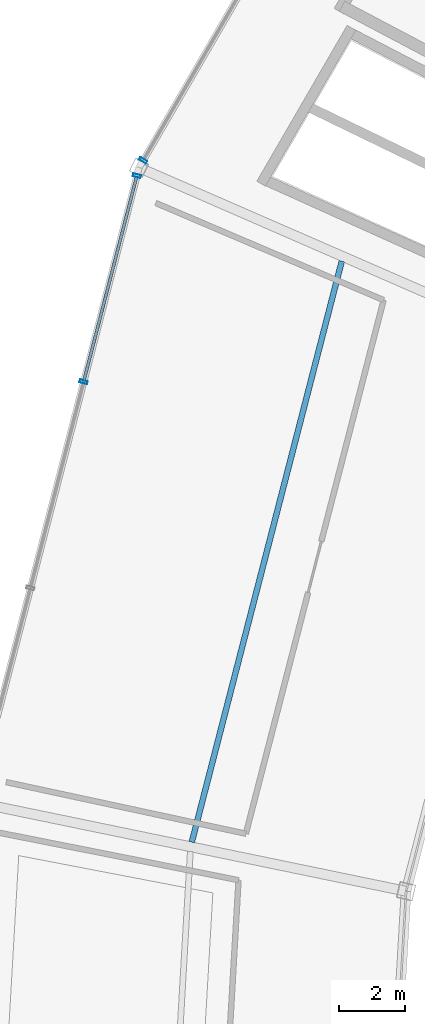
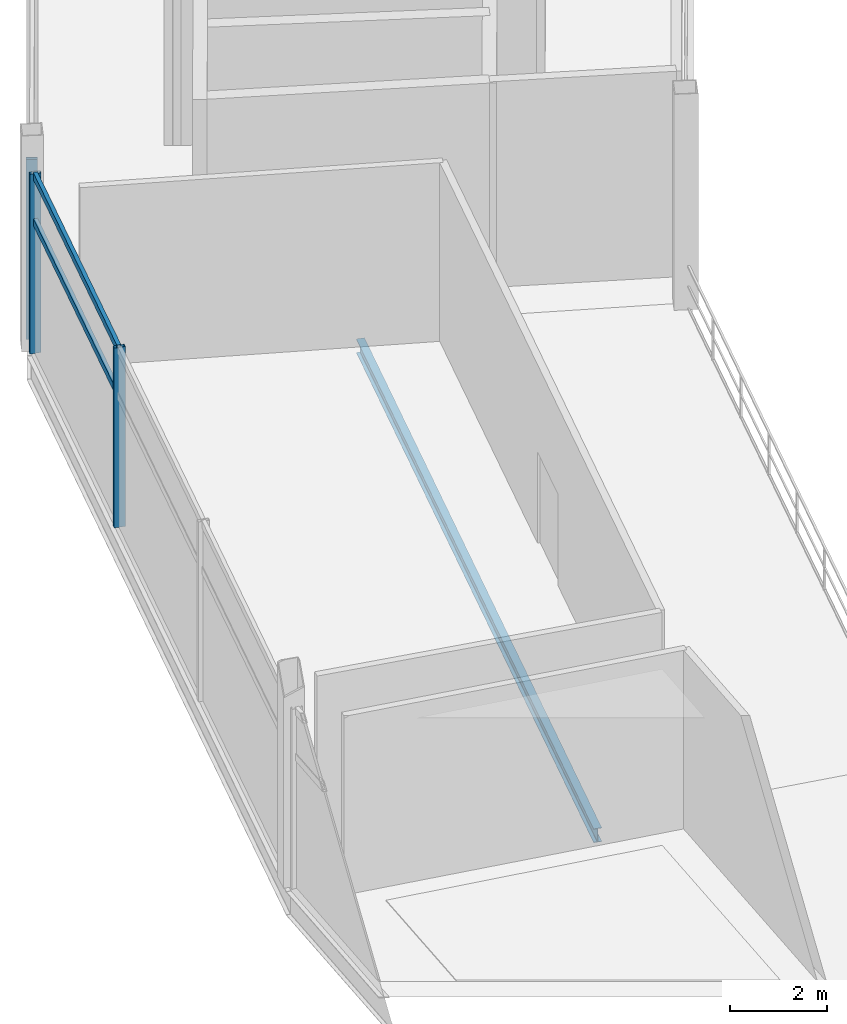
# One storey, part 41 of 103: 5 members, 1 beam, 2 elements without a shape of their own.
"""IFC4 building model written with IfcOpenShell, lengths in metres."""

from ifc_helpers import new_model, si_unit, direction, frame, origin, origin_2d, place, context, subcontext, project, spatial, hollow_rectangle, i_section, extrude, material, layer, layer_set, material_profile, profile_set, type_object, element, aggregate, save


model = new_model("IFC4")

# Units and contexts
model_context = context("Model", 3, precision=1e-05, world=origin(), true_north=direction((0.0, 1.0)))
body_context = subcontext(model_context, "Body", "Model", "MODEL_VIEW")
ifc_project = project(units=[si_unit("LENGTHUNIT", "METRE"), si_unit("AREAUNIT", "SQUARE_METRE"), si_unit("VOLUMEUNIT", "CUBIC_METRE"), si_unit("PLANEANGLEUNIT", "RADIAN"), si_unit("MASSUNIT", "GRAM", prefix="KILO")], contexts=[model_context])

# Site, building, storey
site_placement = place(None, origin())
site = spatial("IfcSite", under=ifc_project, at=site_placement, CompositionType="ELEMENT")
building_placement = place(site_placement, origin())
building = spatial("IfcBuilding", under=site, at=building_placement, Name="Kazemori Nagisa Stadium", CompositionType="ELEMENT")
storey_placement = place(building_placement, frame((0.0, 0.0, 25.840087890625)))
storey = spatial("IfcBuildingStorey", under=building, at=storey_placement, Name="L05", CompositionType="ELEMENT", Elevation=25.840087890625)

# Beam
ifc_material_1 = material(Name="Steel SN490B", Category="steel")
ifc_material_profile_1 = material_profile(ifc_material_1, i_section(OverallWidth=0.175048828125, OverallDepth=0.35009765625, WebThickness=0.007080078125, FlangeThickness=0.010986328125, FilletRadius=0.012939453125, at=origin_2d()), Name="H-350x175x7x11")
ifc_profile_set_1 = profile_set([ifc_material_profile_1], Name="Steel SN490B")
beam_type = type_object("IfcBeamType", Name="Beam_BJ-H350", PredefinedType="JOIST", material=ifc_profile_set_1)
beam_placement = place(storey_placement, frame((40.30078125, 137.896728515625, -0.43505859375), z_axis=(-0.249965990044, -0.968254617248, 0.0), x_axis=(0.968254617248, -0.249965990044, 0.0)))
element("IfcBeam", 1, at=beam_placement, inside=storey, type_object=beam_type, Name="Outer bay joist BJ-H350 L05 B13", PredefinedType="JOIST", context=body_context, shape_type="SweptSolid", body=[
    extrude(i_section(OverallWidth=0.175048828125, OverallDepth=0.35009765625, WebThickness=0.007080078125, FlangeThickness=0.010986328125, FilletRadius=0.012939453125, at=origin_2d()), origin(), (0.0, 0.0, 1.0), 18.29736328125),
])

# Curtain wall, member
ifc_material_2 = material(Name="Anodised aluminium 6063-T5", Category="aluminium")
ifc_layer_1 = layer(ifc_material_2, 0.239990234375, Name="Anodised aluminium 6063-T5", Category="aluminium")
ifc_layer_set_1 = layer_set([ifc_layer_1], Name="Anodised aluminium 6063-T5")
curtain_wall_type_1 = type_object("IfcCurtainWallType", Name="CW_L05R3_101", PredefinedType="USERDEFINED", material=ifc_layer_set_1)
curtain_wall_1_placement = place(storey_placement, origin())
curtain_wall_1 = element("IfcCurtainWall", 2, at=curtain_wall_1_placement, inside=storey, type_object=curtain_wall_type_1, Name="Unitised curtain wall CW-L05R3-101 L05", ObjectType="UNITISED CURTAIN WALL", PredefinedType="USERDEFINED")
ifc_material_3 = material(Name="Aluminium 6063-T5 anodised", Category="aluminium")
ifc_material_profile_2 = material_profile(ifc_material_3, hollow_rectangle(XDim=0.090087890625, YDim=0.239990234375, WallThickness=0.0048828125, at=origin_2d()), Name="ALU-MULL-90x240x5")
ifc_profile_set_2 = profile_set([ifc_material_profile_2], Name="Aluminium 6063-T5 anodised")
member_type_1 = type_object("IfcMemberType", Name="Mullion_M03", PredefinedType="MULLION", material=ifc_profile_set_2)
member_1_placement = place(storey_placement, frame((34.242919921875, 140.97021484375, 0.0), z_axis=(0.0, 0.0, 1.0), x_axis=(-0.501611590054, -0.865092950337, 0.0)))
member_1 = element("IfcMember", 3, at=member_1_placement, type_object=member_type_1, Name="Curtain wall mullion CW-L05R3-101-M4", PredefinedType="MULLION", context=body_context, shape_type="SweptSolid", body=[
    extrude(hollow_rectangle(XDim=0.090087890625, YDim=0.239990234375, WallThickness=0.0048828125, at=origin_2d()), origin(), (0.0, 0.0, 1.0), 4.530029296875),
])
aggregate(curtain_wall_1, [member_1])

# Curtain wall, members
ifc_layer_2 = layer(ifc_material_2, 0.239990234375, Name="Anodised aluminium 6063-T5", Category="aluminium")
ifc_layer_set_2 = layer_set([ifc_layer_2], Name="Anodised aluminium 6063-T5")
curtain_wall_type_2 = type_object("IfcCurtainWallType", Name="CW_L05R3_98", PredefinedType="USERDEFINED", material=ifc_layer_set_2)
curtain_wall_2_placement = place(storey_placement, origin())
curtain_wall_2 = element("IfcCurtainWall", 4, at=curtain_wall_2_placement, inside=storey, type_object=curtain_wall_type_2, Name="Unitised curtain wall CW-L05R3-98 L05", ObjectType="UNITISED CURTAIN WALL", PredefinedType="USERDEFINED")
member_2_placement = place(storey_placement, frame((34.05126953125, 140.502685546875, 0.0), z_axis=(0.0, 0.0, 1.0), x_axis=(-0.249964642418, -0.968254965152, 0.0)))
member_2 = element("IfcMember", 5, at=member_2_placement, type_object=member_type_1, Name="Curtain wall mullion CW-L05R3-98-M1", PredefinedType="MULLION", context=body_context, shape_type="SweptSolid", body=[
    extrude(hollow_rectangle(XDim=0.090087890625, YDim=0.239990234375, WallThickness=0.0048828125, at=origin_2d()), origin(), (0.0, 0.0, 1.0), 4.530029296875),
])
member_3_placement = place(storey_placement, frame((32.428466796875, 134.216552734375, 0.0), z_axis=(0.0, 0.0, 1.0), x_axis=(-0.249964642418, -0.968254965152, 0.0)))
member_3 = element("IfcMember", 6, at=member_3_placement, type_object=member_type_1, Name="Curtain wall mullion CW-L05R3-98-M2", PredefinedType="MULLION", context=body_context, shape_type="SweptSolid", body=[
    extrude(hollow_rectangle(XDim=0.090087890625, YDim=0.239990234375, WallThickness=0.0048828125, at=origin_2d()), origin(), (0.0, 0.0, 1.0), 4.530029296875),
])
ifc_material_profile_3 = material_profile(ifc_material_3, hollow_rectangle(XDim=0.090087890625, YDim=0.179931640625, WallThickness=0.0048828125, at=origin_2d()), Name="ALU-TRAN-90x180x5")
ifc_profile_set_3 = profile_set([ifc_material_profile_3], Name="Aluminium 6063-T5 anodised")
member_type_2 = type_object("IfcMemberType", Name="Transom_T03", PredefinedType="USERDEFINED", material=ifc_profile_set_3)
member_4_placement = place(storey_placement, frame((34.04638671875, 140.483154296875, 3.306884765625), z_axis=(-0.249971861357, -0.968253101482, 0.0), x_axis=(0.968253101482, -0.249971861357, 0.0)))
member_4 = element("IfcMember", 7, at=member_4_placement, type_object=member_type_2, Name="Curtain wall transom CW-L05R3-98-T1-mid", ObjectType="TRANSOM", PredefinedType="USERDEFINED", context=body_context, shape_type="SweptSolid", body=[
    extrude(hollow_rectangle(XDim=0.090087890625, YDim=0.179931640625, WallThickness=0.0048828125, at=origin_2d()), origin(), (0.0, 0.0, 1.0), 6.451904296875),
])
member_5_placement = place(storey_placement, frame((34.04638671875, 140.483154296875, 4.4599609375), z_axis=(-0.249971861357, -0.968253101482, 0.0), x_axis=(0.968253101482, -0.249971861357, 0.0)))
member_5 = element("IfcMember", 8, at=member_5_placement, type_object=member_type_2, Name="Curtain wall transom CW-L05R3-98-T1-head", ObjectType="TRANSOM", PredefinedType="USERDEFINED", context=body_context, shape_type="SweptSolid", body=[
    extrude(hollow_rectangle(XDim=0.090087890625, YDim=0.179931640625, WallThickness=0.0048828125, at=origin_2d()), origin(), (0.0, 0.0, 1.0), 6.451904296875),
])
aggregate(curtain_wall_2, [member_2, member_3, member_4, member_5])

save(model, "model.ifc")
